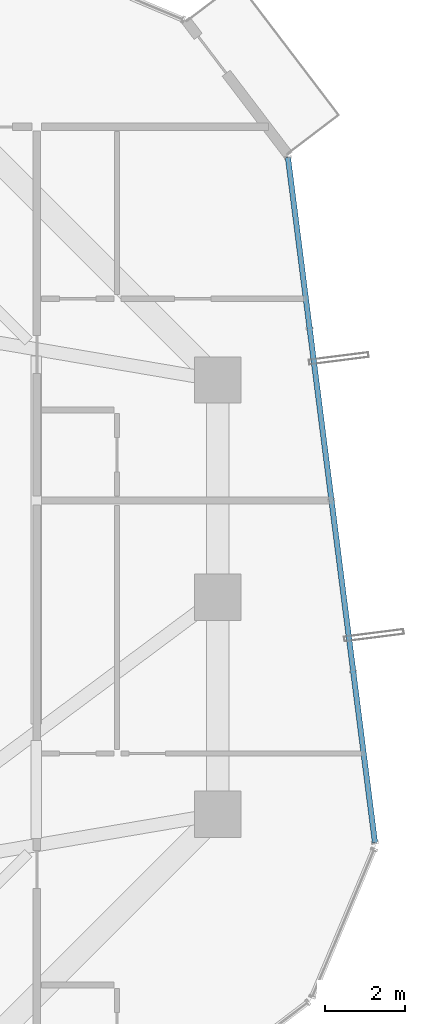
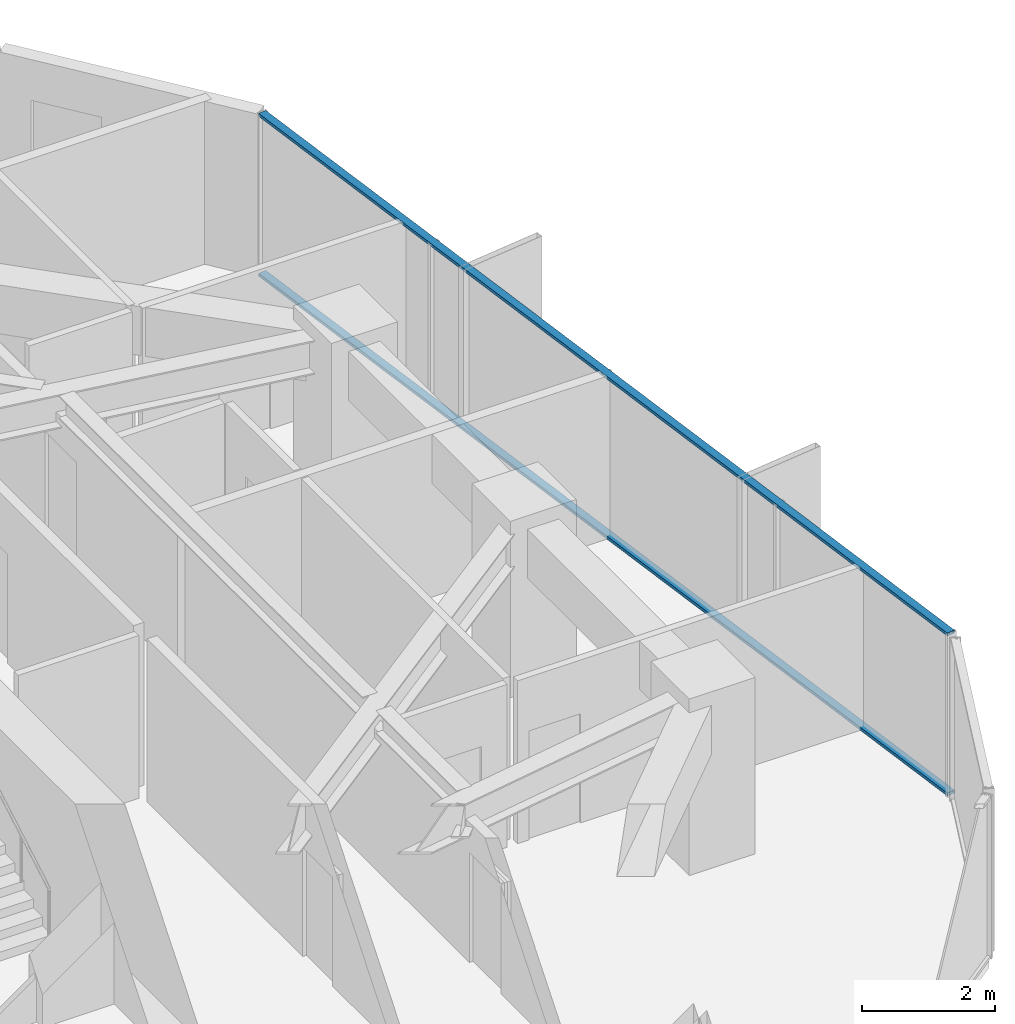
# One storey, part 17 of 33: 2 members, 1 element without a shape of its own.
"""IFC4 building model written with IfcOpenShell, lengths in metres."""

from ifc_helpers import new_model, si_unit, direction, frame, origin, origin_2d, place, context, subcontext, project, spatial, hollow_rectangle, extrude, source, transform, mapped, material, layer, layer_set, material_profile, profile_set, type_object, element, aggregate, save


model = new_model("IFC4")

# Units and contexts
model_context = context("Model", 3, precision=1e-05, world=origin(), true_north=direction((0.0, 1.0)))
body_context = subcontext(model_context, "Body", "Model", "MODEL_VIEW")
ifc_project = project(units=[si_unit("LENGTHUNIT", "METRE"), si_unit("AREAUNIT", "SQUARE_METRE"), si_unit("VOLUMEUNIT", "CUBIC_METRE"), si_unit("PLANEANGLEUNIT", "RADIAN"), si_unit("MASSUNIT", "GRAM", prefix="KILO")], contexts=[model_context])

# Site, building, storey
site_placement = place(None, origin())
site = spatial("IfcSite", under=ifc_project, at=site_placement, CompositionType="ELEMENT")
building_placement = place(site_placement, origin())
building = spatial("IfcBuilding", under=site, at=building_placement, Name="Veraguas Prism Commons", CompositionType="ELEMENT")
storey_placement = place(building_placement, frame((0.0, 0.0, 152.25)))
storey = spatial("IfcBuildingStorey", under=building, at=storey_placement, Name="L43", CompositionType="ELEMENT", Elevation=152.25)

# Curtain wall, members
ifc_material = material(Name="Anodised aluminium EN AW-6063 T6", Category="aluminium")
ifc_layer = layer(ifc_material, 0.169921875, Name="Unitised Flush Curtain Wall Zone 2", Category="aluminium")
ifc_layer_set = layer_set([ifc_layer], Name="Anodised aluminium EN AW-6063 T6")
curtain_wall_type = type_object("IfcCurtainWallType", Name="Unitised Flush Curtain Wall Zone 2", PredefinedType="NOTDEFINED", material=ifc_layer_set)
curtain_wall_placement = place(storey_placement, origin())
curtain_wall = element("IfcCurtainWall", 1, at=curtain_wall_placement, inside=storey, type_object=curtain_wall_type, Name="Tower Facade Curtain Wall L43-F6", PredefinedType="NOTDEFINED")
ifc_material_profile = material_profile(ifc_material, hollow_rectangle(XDim=0.054931640625, YDim=0.135009765625, WallThickness=0.0029296875, at=origin_2d()), Name="AL55X135X3")
ifc_profile_set = profile_set([ifc_material_profile], Name="Anodised aluminium EN AW-6063 T6")
member_type = type_object("IfcMemberType", Name="Curtain Wall Transom Standard AL 55x135x3", PredefinedType="USERDEFINED", material=ifc_profile_set)
shared_shape = source(origin(), body_context, "Body", "SweptSolid", [
    extrude(hollow_rectangle(XDim=0.054931640625, YDim=0.135009765625, WallThickness=0.0029296875, at=origin_2d()), origin(), (0.0, 0.0, 1.0), 17.174560546875),
])
member_1_placement = place(storey_placement, frame((44.11181640625, 17.898681640625, 0.027587890625), z_axis=(-0.126032492571, 0.992026113979, 0.0), x_axis=(0.0, 0.0, 1.0)))
member_1 = element("IfcMember", 2, at=member_1_placement, type_object=member_type, Name="CW-Z2 Transom 1", ObjectType="TRANSOM", PredefinedType="USERDEFINED", context=body_context, shape_type="MappedRepresentation", body=[
    mapped(shared_shape, transform((0.0, 0.0, 0.0), scale=1.0)),
])
member_2_placement = place(storey_placement, frame((44.11181640625, 17.898681640625, 2.972412109375), z_axis=(-0.126032492571, 0.992026113979, 0.0), x_axis=(0.0, 0.0, 1.0)))
member_2 = element("IfcMember", 3, at=member_2_placement, type_object=member_type, Name="CW-Z2 Transom 2", ObjectType="TRANSOM", PredefinedType="USERDEFINED", context=body_context, shape_type="MappedRepresentation", body=[
    mapped(shared_shape, transform((0.0, 0.0, 0.0), scale=1.0)),
])
aggregate(curtain_wall, [member_1, member_2])

save(model, "model.ifc")
